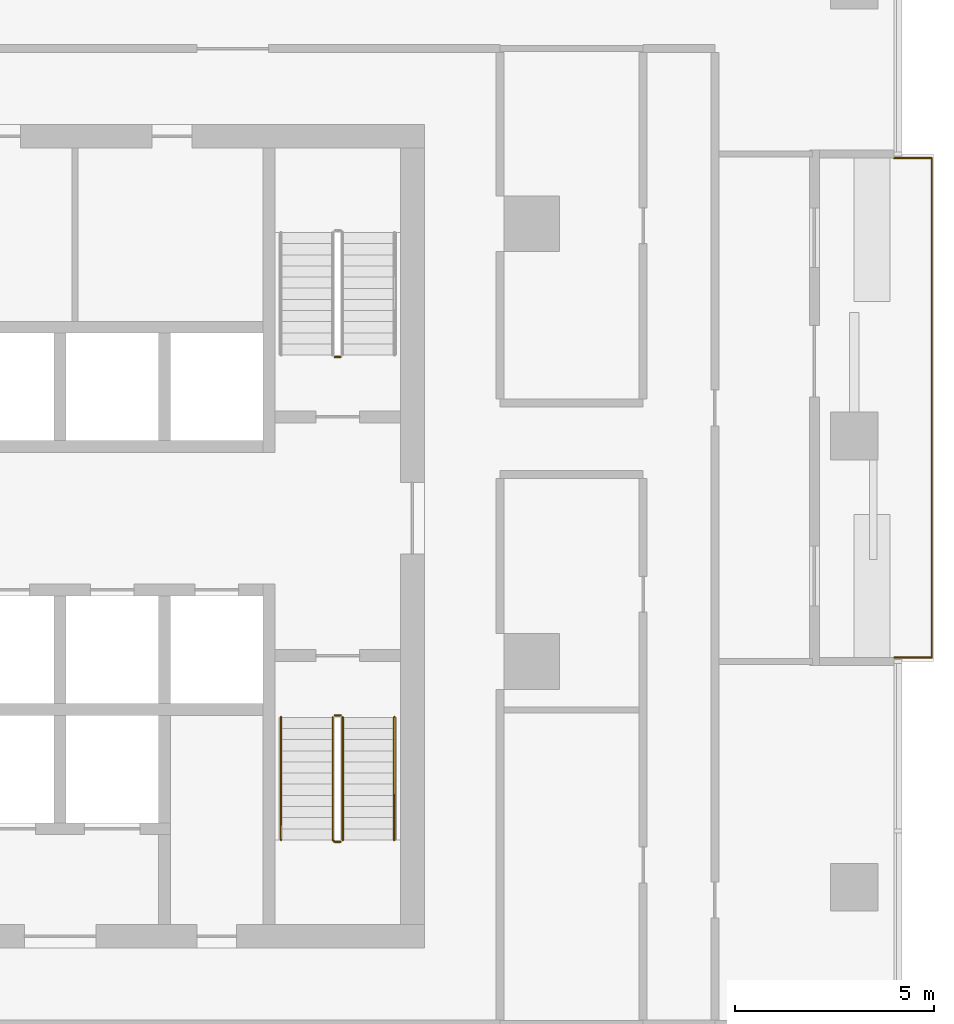
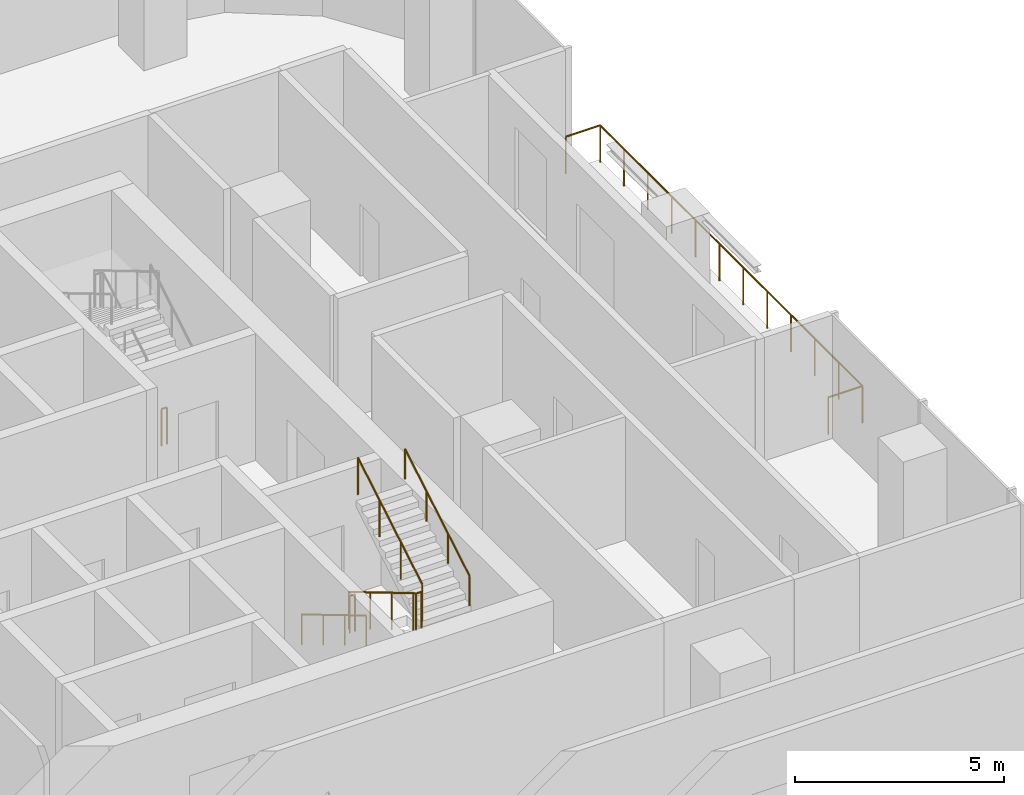
# One storey, part 13 of 14: 7 railings.
"""IFC4 building model written with IfcOpenShell, lengths in metres."""

from ifc_helpers import new_model, si_unit, direction, frame, origin, origin_2d, place, context, subcontext, project, spatial, circle, extrude, material, type_object, element, save


model = new_model("IFC4")

# Units and contexts
model_context = context("Model", 3, precision=1e-05, world=origin(), true_north=direction((0.0, 1.0)))
body_context = subcontext(model_context, "Body", "Model", "MODEL_VIEW")
ifc_project = project(units=[si_unit("LENGTHUNIT", "METRE"), si_unit("AREAUNIT", "SQUARE_METRE"), si_unit("VOLUMEUNIT", "CUBIC_METRE"), si_unit("PLANEANGLEUNIT", "RADIAN"), si_unit("MASSUNIT", "GRAM", prefix="KILO")], contexts=[model_context])

# Site, building, storey
site_placement = place(None, origin())
site = spatial("IfcSite", under=ifc_project, at=site_placement, CompositionType="ELEMENT")
building_placement = place(site_placement, origin())
building = spatial("IfcBuilding", under=site, at=building_placement, Name="Mopane Tessera Tower", CompositionType="ELEMENT")
storey_placement = place(building_placement, frame((0.0, 0.0, 161.0)))
storey = spatial("IfcBuildingStorey", under=building, at=storey_placement, Name="L32", CompositionType="ELEMENT", Elevation=161.0)

# Railings
ifc_material_1 = material(Name="Powder-coated steel balustrade", Category="steel")
railing_type_1 = type_object("IfcRailingType", Name="Escape stair guard 1100 mm", PredefinedType="GUARDRAIL", material=ifc_material_1)
railing_1_placement = place(storey_placement, frame((12.10009765625, -1.39990234375, 0.166748046875)))
element("IfcRailing", 1, at=railing_1_placement, inside=storey, type_object=railing_type_1, Name="L32 ST3 stair guard 1", PredefinedType="GUARDRAIL", context=body_context, shape_type="SweptSolid", body=[
    extrude(circle(Radius=0.02392578125, at=origin_2d()), frame((0.0, 0.0, 1.076171875), z_axis=(0.0, -0.859308565015, 0.511457515432), x_axis=(1.0, 0.0, 0.0)), (0.0, 0.0, 1.0), 3.58447265625),
    extrude(circle(Radius=0.02392578125, at=origin_2d()), frame((0.0, -3.080078125, 2.9091796875), z_axis=(0.705375805398, -0.708833529934, 0.0), x_axis=(0.708833529934, 0.705375805398, 0.0)), (0.0, 0.0, 1.0), 0.070556640625),
    extrude(circle(Radius=0.02392578125, at=origin_2d()), frame((0.0498046875, -3.130126953125, 2.9091796875), z_axis=(1.0, 0.0, 0.0), x_axis=(0.0, 1.0, 0.0)), (0.0, 0.0, 1.0), 0.150146484375),
    extrude(circle(Radius=0.02099609375, at=origin_2d()), origin(), (0.0, 0.0, 1.0), 1.052001953125),
    extrude(circle(Radius=0.02099609375, at=origin_2d()), frame((0.0, -1.026611328125, 0.611083984375)), (0.0, 0.0, 1.0), 1.052001953125),
    extrude(circle(Radius=0.02099609375, at=origin_2d()), frame((0.0, -2.053466796875, 1.22216796875)), (0.0, 0.0, 1.0), 1.052001953125),
    extrude(circle(Radius=0.02099609375, at=origin_2d()), frame((0.0, -3.080078125, 1.833251953125)), (0.0, 0.0, 1.0), 1.052001953125),
    extrude(circle(Radius=0.02099609375, at=origin_2d()), frame((0.0498046875, -3.130126953125, 1.833251953125)), (0.0, 0.0, 1.0), 1.052001953125),
    extrude(circle(Radius=0.02099609375, at=origin_2d()), frame((0.199951171875, -3.130126953125, 1.833251953125)), (0.0, 0.0, 1.0), 1.052001953125),
])
railing_2_placement = place(storey_placement, frame((12.35009765625, -4.47998046875, 2.166748046875)))
element("IfcRailing", 2, at=railing_2_placement, inside=storey, type_object=railing_type_1, Name="L32 ST3 stair guard 2", PredefinedType="GUARDRAIL", context=body_context, shape_type="SweptSolid", body=[
    extrude(circle(Radius=0.02392578125, at=origin_2d()), frame((0.0, 0.0, 1.076171875), z_axis=(0.0, 0.859308565015, 0.511457515432), x_axis=(-1.0, 0.0, 0.0)), (0.0, 0.0, 1.0), 3.58447265625),
    extrude(circle(Radius=0.02099609375, at=origin_2d()), origin(), (0.0, 0.0, 1.0), 1.052001953125),
    extrude(circle(Radius=0.02099609375, at=origin_2d()), frame((0.0, 1.026611328125, 0.611083984375)), (0.0, 0.0, 1.0), 1.052001953125),
    extrude(circle(Radius=0.02099609375, at=origin_2d()), frame((0.0, 2.053466796875, 1.22216796875)), (0.0, 0.0, 1.0), 1.052001953125),
    extrude(circle(Radius=0.02099609375, at=origin_2d()), frame((0.0, 3.080078125, 1.833251953125)), (0.0, 0.0, 1.0), 1.052001953125),
])
railing_3_placement = place(storey_placement, frame((12.14990234375, -1.35009765625, 0.0)))
element("IfcRailing", 3, at=railing_3_placement, inside=storey, type_object=railing_type_1, Name="L32 ST3 stair guard 3", PredefinedType="GUARDRAIL", context=body_context, shape_type="SweptSolid", body=[
    extrude(circle(Radius=0.02392578125, at=origin_2d()), frame((0.0, 0.0, 1.076171875), z_axis=(1.0, 0.0, 0.0), x_axis=(0.0, 1.0, 0.0)), (0.0, 0.0, 1.0), 0.150146484375),
    extrude(circle(Radius=0.02099609375, at=origin_2d()), origin(), (0.0, 0.0, 1.0), 1.052001953125),
    extrude(circle(Radius=0.02099609375, at=origin_2d()), frame((0.150146484375, 0.0, 0.0)), (0.0, 0.0, 1.0), 1.052001953125),
])
railing_4_placement = place(storey_placement, frame((12.300048828125, 7.64990234375, 0.0)))
element("IfcRailing", 4, at=railing_4_placement, inside=storey, type_object=railing_type_1, Name="L32 ST4 stair guard 3", PredefinedType="GUARDRAIL", context=body_context, shape_type="SweptSolid", body=[
    extrude(circle(Radius=0.02392578125, at=origin_2d()), frame((0.0, 0.0, 1.076171875), z_axis=(-1.0, 0.0, 0.0), x_axis=(0.0, -1.0, 0.0)), (0.0, 0.0, 1.0), 0.150146484375),
    extrude(circle(Radius=0.02099609375, at=origin_2d()), origin(), (0.0, 0.0, 1.0), 1.052001953125),
    extrude(circle(Radius=0.02099609375, at=origin_2d()), frame((-0.150146484375, 0.0, 0.0)), (0.0, 0.0, 1.0), 1.052001953125),
])
ifc_material_2 = material(Name="Powder-coated steel balustrade", Category="steel")
railing_type_2 = type_object("IfcRailingType", Name="Escape stair handrail 900 mm", PredefinedType="HANDRAIL", material=ifc_material_2)
railing_5_placement = place(storey_placement, frame((10.800048828125, -1.39990234375, 0.166748046875)))
element("IfcRailing", 5, at=railing_5_placement, inside=storey, type_object=railing_type_2, Name="L32 ST3 stair handrail 1", PredefinedType="HANDRAIL", context=body_context, shape_type="SweptSolid", body=[
    extrude(circle(Radius=0.02392578125, at=origin_2d()), frame((0.0, 0.0, 0.8759765625), z_axis=(0.0, -0.859308565015, 0.511457515432), x_axis=(1.0, 0.0, 0.0)), (0.0, 0.0, 1.0), 3.58447265625),
    extrude(circle(Radius=0.02099609375, at=origin_2d()), origin(), (0.0, 0.0, 1.0), 0.851806640625),
    extrude(circle(Radius=0.02099609375, at=origin_2d()), frame((0.0, -1.026611328125, 0.611083984375)), (0.0, 0.0, 1.0), 0.851806640625),
    extrude(circle(Radius=0.02099609375, at=origin_2d()), frame((0.0, -2.053466796875, 1.22216796875)), (0.0, 0.0, 1.0), 0.851806640625),
    extrude(circle(Radius=0.02099609375, at=origin_2d()), frame((0.0, -3.080078125, 1.833251953125)), (0.0, 0.0, 1.0), 0.851806640625),
])
railing_6_placement = place(storey_placement, frame((13.64990234375, -4.47998046875, 2.166748046875)))
element("IfcRailing", 6, at=railing_6_placement, inside=storey, type_object=railing_type_2, Name="L32 ST3 stair handrail 2", PredefinedType="HANDRAIL", context=body_context, shape_type="SweptSolid", body=[
    extrude(circle(Radius=0.02392578125, at=origin_2d()), frame((0.0, 0.0, 0.8759765625), z_axis=(0.0, 0.859308565015, 0.511457515432), x_axis=(-1.0, 0.0, 0.0)), (0.0, 0.0, 1.0), 3.58447265625),
    extrude(circle(Radius=0.02099609375, at=origin_2d()), origin(), (0.0, 0.0, 1.0), 0.851806640625),
    extrude(circle(Radius=0.02099609375, at=origin_2d()), frame((0.0, 1.026611328125, 0.611083984375)), (0.0, 0.0, 1.0), 0.851806640625),
    extrude(circle(Radius=0.02099609375, at=origin_2d()), frame((0.0, 2.053466796875, 1.22216796875)), (0.0, 0.0, 1.0), 0.851806640625),
    extrude(circle(Radius=0.02099609375, at=origin_2d()), frame((0.0, 3.080078125, 1.833251953125)), (0.0, 0.0, 1.0), 0.851806640625),
])
ifc_material_3 = material(Name="Stainless steel S316", Category="steel")
railing_type_3 = type_object("IfcRailingType", Name="Terrace guard 1100", PredefinedType="GUARDRAIL", material=ifc_material_3)
railing_7_placement = place(storey_placement, frame((26.199951171875, 0.10009765625, 0.0)))
element("IfcRailing", 7, at=railing_7_placement, inside=storey, type_object=railing_type_3, Name="e:nw:L32:N3:guard", PredefinedType="GUARDRAIL", context=body_context, shape_type="SweptSolid", body=[
    extrude(circle(Radius=0.02392578125, at=origin_2d()), frame((0.0, 0.0, 1.076171875), z_axis=(1.0, 0.0, 0.0), x_axis=(0.0, 1.0, 0.0)), (0.0, 0.0, 1.0), 0.949951171875),
    extrude(circle(Radius=0.02392578125, at=origin_2d()), frame((0.949951171875, 0.0, 1.076171875), z_axis=(0.0, 1.0, 0.0), x_axis=(-1.0, 0.0, 0.0)), (0.0, 0.0, 1.0), 12.5498046875),
    extrude(circle(Radius=0.02392578125, at=origin_2d()), frame((0.949951171875, 12.5498046875, 1.076171875), z_axis=(-1.0, 0.0, 0.0), x_axis=(0.0, -1.0, 0.0)), (0.0, 0.0, 1.0), 0.949951171875),
    extrude(circle(Radius=0.02099609375, at=origin_2d()), origin(), (0.0, 0.0, 1.0), 1.052001953125),
    extrude(circle(Radius=0.02099609375, at=origin_2d()), frame((0.949951171875, 0.0, 0.0)), (0.0, 0.0, 1.0), 1.052001953125),
    extrude(circle(Radius=0.02099609375, at=origin_2d()), frame((0.949951171875, 1.140869140625, 0.0)), (0.0, 0.0, 1.0), 1.052001953125),
    extrude(circle(Radius=0.02099609375, at=origin_2d()), frame((0.949951171875, 2.28173828125, 0.0)), (0.0, 0.0, 1.0), 1.052001953125),
    extrude(circle(Radius=0.02099609375, at=origin_2d()), frame((0.949951171875, 3.422607421875, 0.0)), (0.0, 0.0, 1.0), 1.052001953125),
    extrude(circle(Radius=0.02099609375, at=origin_2d()), frame((0.949951171875, 4.5634765625, 0.0)), (0.0, 0.0, 1.0), 1.052001953125),
    extrude(circle(Radius=0.02099609375, at=origin_2d()), frame((0.949951171875, 5.704345703125, 0.0)), (0.0, 0.0, 1.0), 1.052001953125),
    extrude(circle(Radius=0.02099609375, at=origin_2d()), frame((0.949951171875, 6.845458984375, 0.0)), (0.0, 0.0, 1.0), 1.052001953125),
    extrude(circle(Radius=0.02099609375, at=origin_2d()), frame((0.949951171875, 7.986328125, 0.0)), (0.0, 0.0, 1.0), 1.052001953125),
    extrude(circle(Radius=0.02099609375, at=origin_2d()), frame((0.949951171875, 9.127197265625, 0.0)), (0.0, 0.0, 1.0), 1.052001953125),
    extrude(circle(Radius=0.02099609375, at=origin_2d()), frame((0.949951171875, 10.26806640625, 0.0)), (0.0, 0.0, 1.0), 1.052001953125),
    extrude(circle(Radius=0.02099609375, at=origin_2d()), frame((0.949951171875, 11.408935546875, 0.0)), (0.0, 0.0, 1.0), 1.052001953125),
    extrude(circle(Radius=0.02099609375, at=origin_2d()), frame((0.949951171875, 12.5498046875, 0.0)), (0.0, 0.0, 1.0), 1.052001953125),
    extrude(circle(Radius=0.02099609375, at=origin_2d()), frame((0.0, 12.5498046875, 0.0)), (0.0, 0.0, 1.0), 1.052001953125),
])

save(model, "model.ifc")
